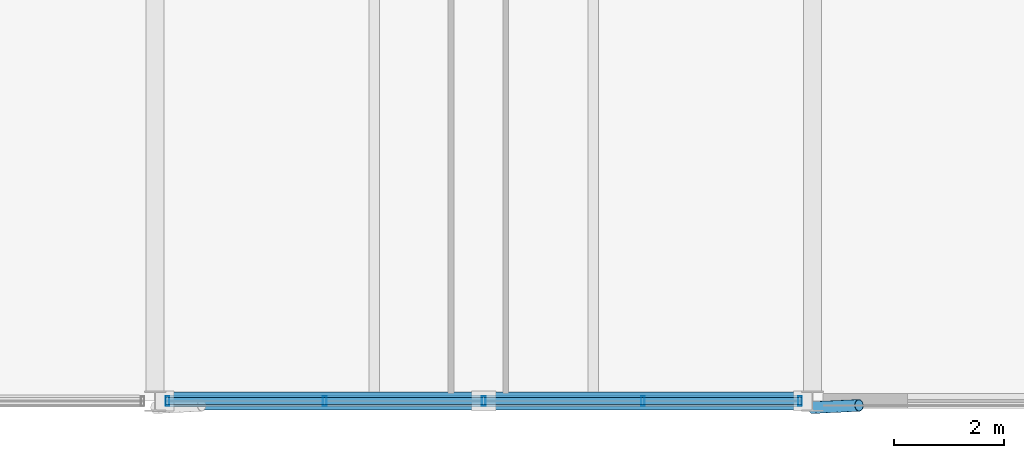
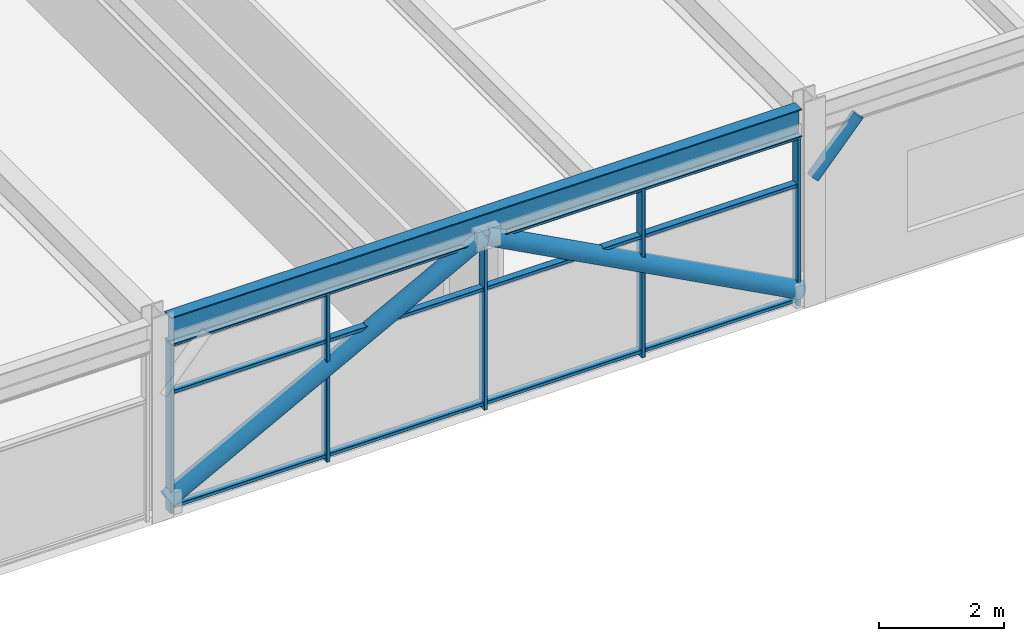
# One storey, part 31 of 49: 11 members, 1 beam, 1 element without a shape of its own.
"""IFC4 building model written with IfcOpenShell, lengths in metres."""

from ifc_helpers import new_model, si_unit, direction, frame, origin, origin_2d, place, context, subcontext, project, spatial, hollow_rectangle, hollow_circle, i_section, extrude, material, material_profile, profile_set, type_object, element, aggregate, save


model = new_model("IFC4")

# Units and contexts
model_context = context("Model", 3, precision=1e-05, world=origin(), true_north=direction((0.0, 1.0)))
body_context = subcontext(model_context, "Body", "Model", "MODEL_VIEW")
ifc_project = project(units=[si_unit("LENGTHUNIT", "METRE"), si_unit("AREAUNIT", "SQUARE_METRE"), si_unit("VOLUMEUNIT", "CUBIC_METRE"), si_unit("PLANEANGLEUNIT", "RADIAN"), si_unit("MASSUNIT", "GRAM", prefix="KILO")], contexts=[model_context])

# Site, building, storey
site_placement = place(None, origin())
site = spatial("IfcSite", under=ifc_project, at=site_placement, CompositionType="ELEMENT")
building_placement = place(site_placement, origin())
building = spatial("IfcBuilding", under=site, at=building_placement, Name="Girod Span Mobility Hub", CompositionType="ELEMENT")
storey_placement = place(building_placement, frame((0.0, 0.0, 37.60009765625)))
storey = spatial("IfcBuildingStorey", under=building, at=storey_placement, Name="L09", CompositionType="ELEMENT", Elevation=37.60009765625)

# Beam
ifc_material_1 = material(Name="Steel A992 Grade 50", Category="steel")
ifc_material_profile_1 = material_profile(ifc_material_1, i_section(OverallWidth=0.2119140625, OverallDepth=0.5439453125, WebThickness=0.01318359375, FlangeThickness=0.021240234375, FilletRadius=0.014892578125, at=origin_2d()), Name="W21X83")
ifc_profile_set_1 = profile_set([ifc_material_profile_1], Name="Steel A992 Grade 50")
beam_type = type_object("IfcBeamType", Name="BM-STL-W21X83", PredefinedType="SPANDREL", material=ifc_profile_set_1)
beam_placement = place(storey_placement, frame((120.194091796875, 27.0, 3.56298828125), z_axis=(1.0, 0.0, 0.0), x_axis=(0.0, 1.0, 0.0)))
element("IfcBeam", 1, at=beam_placement, inside=storey, type_object=beam_type, Name="Girder 11-12/C L09", PredefinedType="SPANDREL", context=body_context, shape_type="SweptSolid", body=[
    extrude(i_section(OverallWidth=0.2119140625, OverallDepth=0.5439453125, WebThickness=0.01318359375, FlangeThickness=0.021240234375, FilletRadius=0.014892578125, at=origin_2d()), origin(), (0.0, 0.0, 1.0), 11.61181640625),
])

# Curtain wall, members
ifc_material_2 = material(Name="Thermally Broken Anodised Aluminium", Category="aluminium")
curtain_wall_type = type_object("IfcCurtainWallType", Name="CW-1161X329", PredefinedType="USERDEFINED", material=ifc_material_2)
curtain_wall_placement = place(storey_placement, origin())
curtain_wall = element("IfcCurtainWall", 2, at=curtain_wall_placement, inside=storey, type_object=curtain_wall_type, Name="Unitised Curtain Wall CW-L09-S11 L09", ObjectType="UNITISED CURTAIN WALL", PredefinedType="USERDEFINED")
ifc_material_3 = material(Name="Thermally Broken Anodised Aluminium", Category="aluminium")
ifc_material_profile_2 = material_profile(ifc_material_3, hollow_rectangle(XDim=0.179931640625, YDim=0.06494140625, WallThickness=0.00390625, InnerFilletRadius=0.00390625, OuterFilletRadius=0.008056640625, at=origin_2d()), Name="CW-ML-65X180")
ifc_profile_set_2 = profile_set([ifc_material_profile_2], Name="Thermally Broken Anodised Aluminium")
member_type_1 = type_object("IfcMemberType", Name="CWM-ML-2", PredefinedType="MULLION", material=ifc_profile_set_2)
member_1_placement = place(storey_placement, frame((120.22705078125, 27.0, 0.0), z_axis=(0.0, 0.0, 1.0), x_axis=(0.0, 1.0, 0.0)))
member_1 = element("IfcMember", 3, at=member_1_placement, type_object=member_type_1, Name="Curtain Wall Mullion CW-L09-S11-M0", PredefinedType="MULLION", context=body_context, shape_type="SweptSolid", body=[
    extrude(hollow_rectangle(XDim=0.179931640625, YDim=0.06494140625, WallThickness=0.00390625, InnerFilletRadius=0.00390625, OuterFilletRadius=0.008056640625, at=origin_2d()), origin(), (0.0, 0.0, 1.0), 3.291015625),
])
member_2_placement = place(storey_placement, frame((123.097412109375, 27.0, 0.0), z_axis=(0.0, 0.0, 1.0), x_axis=(0.0, 1.0, 0.0)))
member_2 = element("IfcMember", 4, at=member_2_placement, type_object=member_type_1, Name="Curtain Wall Mullion CW-L09-S11-M1", PredefinedType="MULLION", context=body_context, shape_type="SweptSolid", body=[
    extrude(hollow_rectangle(XDim=0.179931640625, YDim=0.06494140625, WallThickness=0.00390625, InnerFilletRadius=0.00390625, OuterFilletRadius=0.008056640625, at=origin_2d()), origin(), (0.0, 0.0, 1.0), 3.291015625),
])
member_3_placement = place(storey_placement, frame((126.0, 27.0, 0.0), z_axis=(0.0, 0.0, 1.0), x_axis=(0.0, 1.0, 0.0)))
member_3 = element("IfcMember", 5, at=member_3_placement, type_object=member_type_1, Name="Curtain Wall Mullion CW-L09-S11-M2", PredefinedType="MULLION", context=body_context, shape_type="SweptSolid", body=[
    extrude(hollow_rectangle(XDim=0.179931640625, YDim=0.06494140625, WallThickness=0.00390625, InnerFilletRadius=0.00390625, OuterFilletRadius=0.008056640625, at=origin_2d()), origin(), (0.0, 0.0, 1.0), 3.291015625),
])
member_4_placement = place(storey_placement, frame((128.902587890625, 27.0, 0.0), z_axis=(0.0, 0.0, 1.0), x_axis=(0.0, 1.0, 0.0)))
member_4 = element("IfcMember", 6, at=member_4_placement, type_object=member_type_1, Name="Curtain Wall Mullion CW-L09-S11-M3", PredefinedType="MULLION", context=body_context, shape_type="SweptSolid", body=[
    extrude(hollow_rectangle(XDim=0.179931640625, YDim=0.06494140625, WallThickness=0.00390625, InnerFilletRadius=0.00390625, OuterFilletRadius=0.008056640625, at=origin_2d()), origin(), (0.0, 0.0, 1.0), 3.291015625),
])
member_5_placement = place(storey_placement, frame((131.77294921875, 27.0, 0.0), z_axis=(0.0, 0.0, 1.0), x_axis=(0.0, 1.0, 0.0)))
member_5 = element("IfcMember", 7, at=member_5_placement, type_object=member_type_1, Name="Curtain Wall Mullion CW-L09-S11-M4", PredefinedType="MULLION", context=body_context, shape_type="SweptSolid", body=[
    extrude(hollow_rectangle(XDim=0.179931640625, YDim=0.06494140625, WallThickness=0.00390625, InnerFilletRadius=0.00390625, OuterFilletRadius=0.008056640625, at=origin_2d()), origin(), (0.0, 0.0, 1.0), 3.291015625),
])
ifc_material_4 = material(Name="Thermally Broken Anodised Aluminium", Category="aluminium")
ifc_material_profile_3 = material_profile(ifc_material_4, hollow_rectangle(XDim=0.135009765625, YDim=0.06494140625, WallThickness=0.00390625, InnerFilletRadius=0.00390625, OuterFilletRadius=0.008056640625, at=origin_2d()), Name="CW-TR-65X135")
ifc_profile_set_3 = profile_set([ifc_material_profile_3], Name="Thermally Broken Anodised Aluminium")
member_type_2 = type_object("IfcMemberType", Name="CWM-TR-2", PredefinedType="USERDEFINED", material=ifc_profile_set_3)
member_6_placement = place(storey_placement, frame((120.195068359375, 27.0, 0.107421875), z_axis=(1.0, 0.0, 0.0), x_axis=(0.0, 1.0, 0.0)))
member_6 = element("IfcMember", 8, at=member_6_placement, type_object=member_type_2, Name="Curtain Wall Transom CW-L09-S11-T1", ObjectType="TRANSOM", PredefinedType="USERDEFINED", context=body_context, shape_type="SweptSolid", body=[
    extrude(hollow_rectangle(XDim=0.135009765625, YDim=0.06494140625, WallThickness=0.00390625, InnerFilletRadius=0.00390625, OuterFilletRadius=0.008056640625, at=origin_2d()), origin(), (0.0, 0.0, 1.0), 11.60986328125),
])
member_7_placement = place(storey_placement, frame((120.195068359375, 27.0, 2.3369140625), z_axis=(1.0, 0.0, 0.0), x_axis=(0.0, 1.0, 0.0)))
member_7 = element("IfcMember", 9, at=member_7_placement, type_object=member_type_2, Name="Curtain Wall Transom CW-L09-S11-T2", ObjectType="TRANSOM", PredefinedType="USERDEFINED", context=body_context, shape_type="SweptSolid", body=[
    extrude(hollow_rectangle(XDim=0.135009765625, YDim=0.06494140625, WallThickness=0.00390625, InnerFilletRadius=0.00390625, OuterFilletRadius=0.008056640625, at=origin_2d()), origin(), (0.0, 0.0, 1.0), 11.60986328125),
])
member_8_placement = place(storey_placement, frame((120.195068359375, 27.0, 3.25830078125), z_axis=(1.0, 0.0, 0.0), x_axis=(0.0, 1.0, 0.0)))
member_8 = element("IfcMember", 10, at=member_8_placement, type_object=member_type_2, Name="Curtain Wall Transom CW-L09-S11-T3", ObjectType="TRANSOM", PredefinedType="USERDEFINED", context=body_context, shape_type="SweptSolid", body=[
    extrude(hollow_rectangle(XDim=0.135009765625, YDim=0.06494140625, WallThickness=0.00390625, InnerFilletRadius=0.00390625, OuterFilletRadius=0.008056640625, at=origin_2d()), origin(), (0.0, 0.0, 1.0), 11.60986328125),
])
aggregate(curtain_wall, [member_1, member_2, member_3, member_4, member_5, member_6, member_7, member_8])

# Members
ifc_material_5 = material(Name="Steel HSS A500 Grade C", Category="steel")
ifc_material_profile_4 = material_profile(ifc_material_5, hollow_circle(Radius=0.162109375, WallThickness=0.01171875, at=origin_2d()), Name="HSS324X12.7")
ifc_profile_set_4 = profile_set([ifc_material_profile_4], Name="Steel HSS A500 Grade C")
member_type_3 = type_object("IfcMemberType", Name="MB-BR-HSS324", PredefinedType="BRACE", material=ifc_profile_set_4)
for number, where, z_axis, x_axis, name in (
    (11, (120.177001953125, 27.0, 0.25), (0.882652915003, 0.0, 0.470025352122), (0.0, 1.0, 0.0), "Upper Diagrid Brace 11/C-L L09"),
    (12, (131.822998046875, 27.0, 0.25), (-0.882652915003, 0.0, 0.470025352122), (0.0, -1.0, 0.0), "Upper Diagrid Brace 11/C-R L09"),
):
    element("IfcMember", number, at=place(storey_placement, frame(where, z_axis=z_axis, x_axis=x_axis)), inside=storey, type_object=member_type_3, Name=name, PredefinedType="BRACE", context=body_context, shape_type="SweptSolid", body=[
        extrude(hollow_circle(Radius=0.162109375, WallThickness=0.01171875, at=origin_2d()), origin(), (0.0, 0.0, 1.0), 6.59716796875),
    ])
ifc_material_6 = material(Name="Steel HSS A500 Grade C", Category="steel")
ifc_material_profile_5 = material_profile(ifc_material_6, hollow_circle(Radius=0.109619140625, WallThickness=0.0087890625, at=origin_2d()), Name="HSS219X9.5")
ifc_profile_set_5 = profile_set([ifc_material_profile_5], Name="Steel HSS A500 Grade C")
member_type_4 = type_object("IfcMemberType", Name="MB-ST-HSS219", PredefinedType="STRUT", material=ifc_profile_set_5)
member_9_placement = place(storey_placement, frame((132.0, 26.8798828125, 2.449951171875), z_axis=(0.684284972261, 0.032229389848, 0.728502122967), x_axis=(-0.047047213483, 0.998892666758, 0.0)))
element("IfcMember", 13, at=member_9_placement, inside=storey, type_object=member_type_4, Name="Solar Shading Knee Strut 12 L09", PredefinedType="STRUT", context=body_context, shape_type="SweptSolid", body=[
    extrude(hollow_circle(Radius=0.109619140625, WallThickness=0.0087890625, at=origin_2d()), origin(), (0.0, 0.0, 1.0), 1.242431640625),
])

save(model, "model.ifc")
